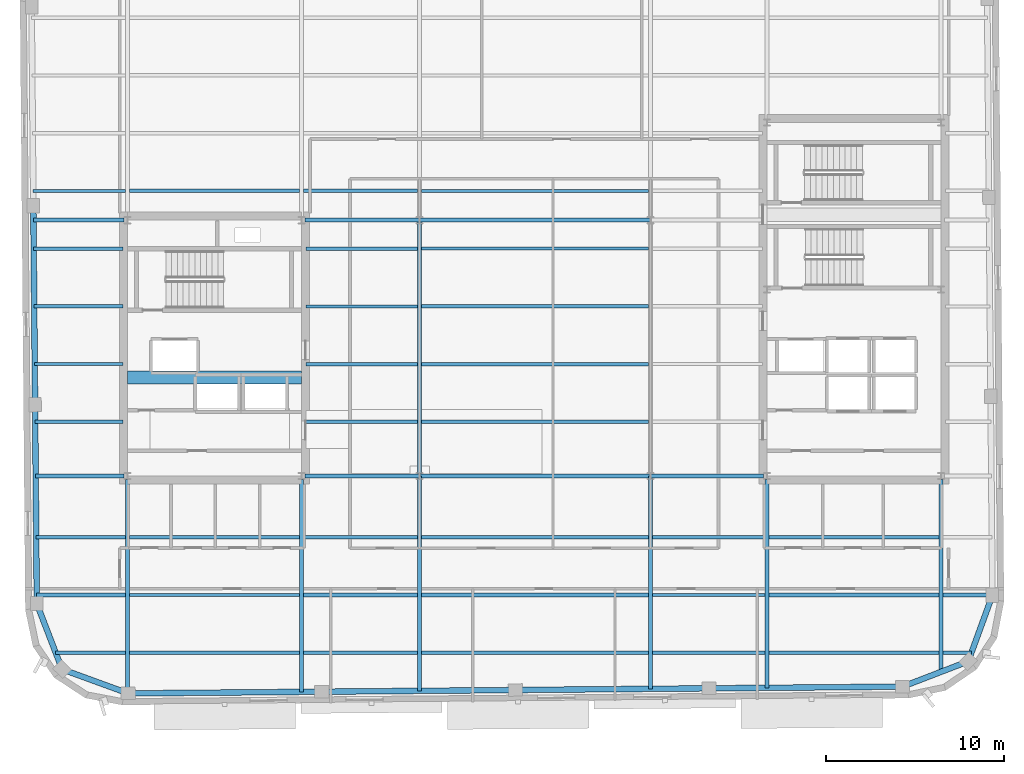
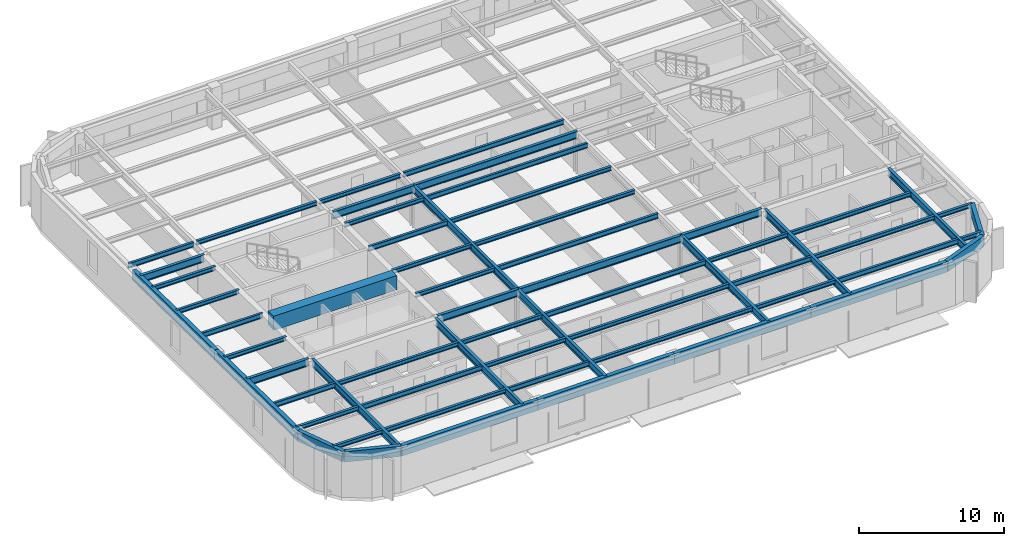
# One storey, part 4 of 15: 61 beams.
"""IFC4 building model written with IfcOpenShell, lengths in metres."""

from ifc_helpers import new_model, si_unit, direction, frame, origin, origin_2d, place, context, subcontext, project, spatial, rectangle, hollow_rectangle, i_section, extrude, material, material_profile, profile_set, type_object, element, save


model = new_model("IFC4")

# Units and contexts
model_context = context("Model", 3, precision=1e-05, world=origin(), true_north=direction((0.0, 1.0)))
body_context = subcontext(model_context, "Body", "Model", "MODEL_VIEW")
ifc_project = project(units=[si_unit("LENGTHUNIT", "METRE"), si_unit("AREAUNIT", "SQUARE_METRE"), si_unit("VOLUMEUNIT", "CUBIC_METRE"), si_unit("PLANEANGLEUNIT", "RADIAN"), si_unit("MASSUNIT", "GRAM", prefix="KILO")], contexts=[model_context])

# Site, building, storey
site_placement = place(None, origin())
site = spatial("IfcSite", under=ifc_project, at=site_placement, CompositionType="ELEMENT")
building_placement = place(site_placement, origin())
building = spatial("IfcBuilding", under=site, at=building_placement, Name="Kolvaren Arena Tower", CompositionType="ELEMENT")
storey_placement = place(building_placement, frame((0.0, 0.0, 293.64990234375)))
storey = spatial("IfcBuildingStorey", under=building, at=storey_placement, Name="L72", CompositionType="ELEMENT", Elevation=293.64990234375)

# Beams
ifc_material_1 = material(Name="Steel CSA G40.21 350W", Category="steel")
ifc_material_profile_1 = material_profile(ifc_material_1, i_section(OverallWidth=0.180908203125, OverallDepth=0.4169921875, WebThickness=0.010986328125, FlangeThickness=0.018310546875, FilletRadius=0.011962890625, at=origin_2d()), Name="W410x85")
ifc_profile_set_1 = profile_set([ifc_material_profile_1], Name="Steel CSA G40.21 350W")
beam_type_1 = type_object("IfcBeamType", Name="BEAM-F3", PredefinedType="BEAM", material=ifc_profile_set_1)
beam_1_placement = place(storey_placement, frame((24.464111328125, 9.5, 3.271484375), z_axis=(1.0, 0.0, 0.0), x_axis=(0.0, 1.0, 0.0)))
element("IfcBeam", 1, at=beam_1_placement, inside=storey, type_object=beam_type_1, Name="Composite Floor Beam (L72)", PredefinedType="BEAM", context=body_context, shape_type="SweptSolid", body=[
    extrude(i_section(OverallWidth=0.180908203125, OverallDepth=0.4169921875, WebThickness=0.010986328125, FlangeThickness=0.018310546875, FilletRadius=0.011962890625, at=origin_2d()), origin(), (0.0, 0.0, 1.0), 6.421875),
])
for number, where, z_axis, x_axis, name in (
    (2, (50.6640625, 9.5, 3.271484375), (1.0, 0.0, 0.0), (0.0, 1.0, 0.0), "Composite Floor Beam (L72)"),
    (3, (14.6640625, 12.75, 3.271484375), (1.0, 0.0, 0.0), (0.0, 1.0, 0.0), "Composite Floor Beam (L72)"),
):
    element("IfcBeam", number, at=place(storey_placement, frame(where, z_axis=z_axis, x_axis=x_axis)), inside=storey, type_object=beam_type_1, Name=name, PredefinedType="BEAM", context=body_context, shape_type="SweptSolid", body=[
        extrude(i_section(OverallWidth=0.180908203125, OverallDepth=0.4169921875, WebThickness=0.010986328125, FlangeThickness=0.018310546875, FilletRadius=0.011962890625, at=origin_2d()), origin(), (0.0, 0.0, 1.0), 9.572021484375),
    ])
beam_2_placement = place(storey_placement, frame((44.114013671875, 12.75, 3.271484375), z_axis=(1.0, 0.0, 0.0), x_axis=(0.0, 1.0, 0.0)))
element("IfcBeam", 4, at=beam_2_placement, inside=storey, type_object=beam_type_1, Name="Composite Floor Beam (L72)", PredefinedType="BEAM", context=body_context, shape_type="SweptSolid", body=[
    extrude(i_section(OverallWidth=0.180908203125, OverallDepth=0.4169921875, WebThickness=0.010986328125, FlangeThickness=0.018310546875, FilletRadius=0.011962890625, at=origin_2d()), origin(), (0.0, 0.0, 1.0), 6.322021484375),
])
beam_3_placement = place(storey_placement, frame((9.4150390625, 16.0, 3.271484375), z_axis=(1.0, 0.0, 0.0), x_axis=(0.0, 1.0, 0.0)))
element("IfcBeam", 5, at=beam_3_placement, inside=storey, type_object=beam_type_1, Name="Composite Floor Beam (L72)", PredefinedType="BEAM", context=body_context, shape_type="SweptSolid", body=[
    extrude(i_section(OverallWidth=0.180908203125, OverallDepth=0.4169921875, WebThickness=0.010986328125, FlangeThickness=0.018310546875, FilletRadius=0.011962890625, at=origin_2d()), origin(), (0.0, 0.0, 1.0), 5.02099609375),
])
for number, where, z_axis, x_axis, name in (
    (6, (31.114013671875, 16.0, 3.271484375), (1.0, 0.0, 0.0), (0.0, 1.0, 0.0), "Composite Floor Beam (L72)"),
    (7, (31.114013671875, 22.5, 3.271484375), (1.0, 0.0, 0.0), (0.0, 1.0, 0.0), "Composite Floor Beam (L72)"),
):
    element("IfcBeam", number, at=place(storey_placement, frame(where, z_axis=z_axis, x_axis=x_axis)), inside=storey, type_object=beam_type_1, Name=name, PredefinedType="BEAM", context=body_context, shape_type="SweptSolid", body=[
        extrude(i_section(OverallWidth=0.180908203125, OverallDepth=0.4169921875, WebThickness=0.010986328125, FlangeThickness=0.018310546875, FilletRadius=0.011962890625, at=origin_2d()), origin(), (0.0, 0.0, 1.0), 12.77197265625),
    ])
beam_4_placement = place(storey_placement, frame((9.330078125, 25.75, 3.271484375), z_axis=(1.0, 0.0, 0.0), x_axis=(0.0, 1.0, 0.0)))
element("IfcBeam", 8, at=beam_4_placement, inside=storey, type_object=beam_type_1, Name="Composite Floor Beam (L72)", PredefinedType="BEAM", context=body_context, shape_type="SweptSolid", body=[
    extrude(i_section(OverallWidth=0.180908203125, OverallDepth=0.4169921875, WebThickness=0.010986328125, FlangeThickness=0.018310546875, FilletRadius=0.011962890625, at=origin_2d()), origin(), (0.0, 0.0, 1.0), 4.974853515625),
])
beam_5_placement = place(storey_placement, frame((24.594970703125, 29.0, 3.271484375), z_axis=(1.0, 0.0, 0.0), x_axis=(0.0, 1.0, 0.0)))
element("IfcBeam", 9, at=beam_5_placement, inside=storey, type_object=beam_type_1, Name="Composite Floor Beam (L72)", PredefinedType="BEAM", context=body_context, shape_type="SweptSolid", body=[
    extrude(i_section(OverallWidth=0.180908203125, OverallDepth=0.4169921875, WebThickness=0.010986328125, FlangeThickness=0.018310546875, FilletRadius=0.011962890625, at=origin_2d()), origin(), (0.0, 0.0, 1.0), 6.291015625),
])
beam_6_placement = place(storey_placement, frame((31.114013671875, 32.25, 3.271484375), z_axis=(1.0, 0.0, 0.0), x_axis=(0.0, 1.0, 0.0)))
element("IfcBeam", 10, at=beam_6_placement, inside=storey, type_object=beam_type_1, Name="Composite Floor Beam (L72)", PredefinedType="BEAM", context=body_context, shape_type="SweptSolid", body=[
    extrude(i_section(OverallWidth=0.180908203125, OverallDepth=0.4169921875, WebThickness=0.010986328125, FlangeThickness=0.018310546875, FilletRadius=0.011962890625, at=origin_2d()), origin(), (0.0, 0.0, 1.0), 12.77197265625),
])
beam_7_placement = place(storey_placement, frame((9.244873046875, 35.5, 3.271484375), z_axis=(1.0, 0.0, 0.0), x_axis=(0.0, 1.0, 0.0)))
element("IfcBeam", 11, at=beam_7_placement, inside=storey, type_object=beam_type_1, Name="Composite Floor Beam (L72)", PredefinedType="BEAM", context=body_context, shape_type="SweptSolid", body=[
    extrude(i_section(OverallWidth=0.180908203125, OverallDepth=0.4169921875, WebThickness=0.010986328125, FlangeThickness=0.018310546875, FilletRadius=0.011962890625, at=origin_2d()), origin(), (0.0, 0.0, 1.0), 5.191162109375),
])
beam_8_placement = place(storey_placement, frame((31.114013671875, 35.5, 3.271484375), z_axis=(1.0, 0.0, 0.0), x_axis=(0.0, 1.0, 0.0)))
element("IfcBeam", 12, at=beam_8_placement, inside=storey, type_object=beam_type_1, Name="Composite Floor Beam (L72)", PredefinedType="BEAM", context=body_context, shape_type="SweptSolid", body=[
    extrude(i_section(OverallWidth=0.180908203125, OverallDepth=0.4169921875, WebThickness=0.010986328125, FlangeThickness=0.018310546875, FilletRadius=0.011962890625, at=origin_2d()), origin(), (0.0, 0.0, 1.0), 12.77197265625),
])
ifc_material_2 = material(Name="Concrete 60 MPa", Category="concrete")
ifc_material_profile_2 = material_profile(ifc_material_2, rectangle(XDim=0.75, YDim=1.199951171875, at=origin_2d()), Name="RC-750x1200")
ifc_profile_set_2 = profile_set([ifc_material_profile_2], Name="Concrete 60 MPa")
beam_type_2 = type_object("IfcBeamType", Name="CB-CORE-2", PredefinedType="BEAM", material=ifc_profile_set_2)
beam_9_placement = place(storey_placement, frame((14.550048828125, 25.0, 3.150146484375), z_axis=(1.0, 0.0, 0.0), x_axis=(0.0, 1.0, 0.0)))
element("IfcBeam", 13, at=beam_9_placement, inside=storey, type_object=beam_type_2, Name="West Core Coupling Beam (L72)", PredefinedType="BEAM", context=body_context, shape_type="SweptSolid", body=[
    extrude(rectangle(XDim=0.75, YDim=1.199951171875, at=origin_2d()), origin(), (0.0, 0.0, 1.0), 9.800048828125),
])
ifc_material_profile_3 = material_profile(ifc_material_1, i_section(OverallWidth=0.22802734375, OverallDepth=0.615966796875, WebThickness=0.013916015625, FlangeThickness=0.02490234375, FilletRadius=0.014892578125, at=origin_2d()), Name="W610x174")
ifc_profile_set_3 = profile_set([ifc_material_profile_3], Name="Steel CSA G40.21 350W")
beam_type_3 = type_object("IfcBeamType", Name="GIRD-T3", PredefinedType="BEAM", material=ifc_profile_set_3)
beam_10_placement = place(storey_placement, frame((9.385009765625, 19.449951171875, 3.172119140625), z_axis=(1.0, 0.0, 0.0), x_axis=(0.0, 1.0, 0.0)))
element("IfcBeam", 14, at=beam_10_placement, inside=storey, type_object=beam_type_3, Name="Primary Floor Girder (L72)", PredefinedType="BEAM", context=body_context, shape_type="SweptSolid", body=[
    extrude(i_section(OverallWidth=0.22802734375, OverallDepth=0.615966796875, WebThickness=0.013916015625, FlangeThickness=0.02490234375, FilletRadius=0.014892578125, at=origin_2d()), origin(), (0.0, 0.0, 1.0), 4.9599609375),
])
beam_11_placement = place(storey_placement, frame((24.554931640625, 19.449951171875, 3.172119140625), z_axis=(1.0, 0.0, 0.0), x_axis=(0.0, 1.0, 0.0)))
element("IfcBeam", 15, at=beam_11_placement, inside=storey, type_object=beam_type_3, Name="Primary Floor Girder (L72)", PredefinedType="BEAM", context=body_context, shape_type="SweptSolid", body=[
    extrude(i_section(OverallWidth=0.22802734375, OverallDepth=0.615966796875, WebThickness=0.013916015625, FlangeThickness=0.02490234375, FilletRadius=0.014892578125, at=origin_2d()), origin(), (0.0, 0.0, 1.0), 6.445068359375),
])
beam_12_placement = place(storey_placement, frame((31.0, 19.449951171875, 3.172119140625), z_axis=(1.0, 0.0, 0.0), x_axis=(0.0, 1.0, 0.0)))
element("IfcBeam", 16, at=beam_12_placement, inside=storey, type_object=beam_type_3, Name="Primary Floor Girder (L72)", PredefinedType="BEAM", context=body_context, shape_type="SweptSolid", body=[
    extrude(i_section(OverallWidth=0.22802734375, OverallDepth=0.615966796875, WebThickness=0.013916015625, FlangeThickness=0.02490234375, FilletRadius=0.014892578125, at=origin_2d()), origin(), (0.0, 0.0, 1.0), 13.0),
])
beam_13_placement = place(storey_placement, frame((44.0, 19.449951171875, 3.172119140625), z_axis=(1.0, 0.0, 0.0), x_axis=(0.0, 1.0, 0.0)))
element("IfcBeam", 17, at=beam_13_placement, inside=storey, type_object=beam_type_3, Name="Primary Floor Girder (L72)", PredefinedType="BEAM", context=body_context, shape_type="SweptSolid", body=[
    extrude(i_section(OverallWidth=0.22802734375, OverallDepth=0.615966796875, WebThickness=0.013916015625, FlangeThickness=0.02490234375, FilletRadius=0.014892578125, at=origin_2d()), origin(), (0.0, 0.0, 1.0), 6.344970703125),
])
beam_14_placement = place(storey_placement, frame((9.25927734375, 33.85009765625, 3.172119140625), z_axis=(1.0, 0.0, 0.0), x_axis=(0.0, 1.0, 0.0)))
element("IfcBeam", 18, at=beam_14_placement, inside=storey, type_object=beam_type_3, Name="Primary Floor Girder (L72)", PredefinedType="BEAM", context=body_context, shape_type="SweptSolid", body=[
    extrude(i_section(OverallWidth=0.22802734375, OverallDepth=0.615966796875, WebThickness=0.013916015625, FlangeThickness=0.02490234375, FilletRadius=0.014892578125, at=origin_2d()), origin(), (0.0, 0.0, 1.0), 5.085693359375),
])
beam_15_placement = place(storey_placement, frame((24.554931640625, 33.85009765625, 3.172119140625), z_axis=(1.0, 0.0, 0.0), x_axis=(0.0, 1.0, 0.0)))
element("IfcBeam", 19, at=beam_15_placement, inside=storey, type_object=beam_type_3, Name="Primary Floor Girder (L72)", PredefinedType="BEAM", context=body_context, shape_type="SweptSolid", body=[
    extrude(i_section(OverallWidth=0.22802734375, OverallDepth=0.615966796875, WebThickness=0.013916015625, FlangeThickness=0.02490234375, FilletRadius=0.014892578125, at=origin_2d()), origin(), (0.0, 0.0, 1.0), 6.445068359375),
])
beam_16_placement = place(storey_placement, frame((31.0, 33.85009765625, 3.172119140625), z_axis=(1.0, 0.0, 0.0), x_axis=(0.0, 1.0, 0.0)))
element("IfcBeam", 20, at=beam_16_placement, inside=storey, type_object=beam_type_3, Name="Primary Floor Girder (L72)", PredefinedType="BEAM", context=body_context, shape_type="SweptSolid", body=[
    extrude(i_section(OverallWidth=0.22802734375, OverallDepth=0.615966796875, WebThickness=0.013916015625, FlangeThickness=0.02490234375, FilletRadius=0.014892578125, at=origin_2d()), origin(), (0.0, 0.0, 1.0), 13.0),
])
beam_17_placement = place(storey_placement, frame((14.550048828125, 7.225830078125, 3.172119140625), z_axis=(0.0, 1.0, 0.0), x_axis=(-1.0, 0.0, 0.0)))
element("IfcBeam", 21, at=beam_17_placement, inside=storey, type_object=beam_type_3, Name="Primary Floor Girder (L72)", PredefinedType="BEAM", context=body_context, shape_type="SweptSolid", body=[
    extrude(i_section(OverallWidth=0.22802734375, OverallDepth=0.615966796875, WebThickness=0.013916015625, FlangeThickness=0.02490234375, FilletRadius=0.014892578125, at=origin_2d()), origin(), (0.0, 0.0, 1.0), 12.019287109375),
])
beam_18_placement = place(storey_placement, frame((24.35009765625, 7.295654296875, 3.172119140625), z_axis=(0.0, 1.0, 0.0), x_axis=(-1.0, 0.0, 0.0)))
element("IfcBeam", 22, at=beam_18_placement, inside=storey, type_object=beam_type_3, Name="Primary Floor Girder (L72)", PredefinedType="BEAM", context=body_context, shape_type="SweptSolid", body=[
    extrude(i_section(OverallWidth=0.22802734375, OverallDepth=0.615966796875, WebThickness=0.013916015625, FlangeThickness=0.02490234375, FilletRadius=0.014892578125, at=origin_2d()), origin(), (0.0, 0.0, 1.0), 11.949462890625),
])
beam_19_placement = place(storey_placement, frame((31.0, 7.353759765625, 3.172119140625), z_axis=(0.0, 1.0, 0.0), x_axis=(-1.0, 0.0, 0.0)))
element("IfcBeam", 23, at=beam_19_placement, inside=storey, type_object=beam_type_3, Name="Primary Floor Girder (L72)", PredefinedType="BEAM", context=body_context, shape_type="SweptSolid", body=[
    extrude(i_section(OverallWidth=0.22802734375, OverallDepth=0.615966796875, WebThickness=0.013916015625, FlangeThickness=0.02490234375, FilletRadius=0.014892578125, at=origin_2d()), origin(), (0.0, 0.0, 1.0), 12.09619140625),
])
beam_20_placement = place(storey_placement, frame((31.0, 19.449951171875, 3.172119140625), z_axis=(0.0, 1.0, 0.0), x_axis=(-1.0, 0.0, 0.0)))
element("IfcBeam", 24, at=beam_20_placement, inside=storey, type_object=beam_type_3, Name="Primary Floor Girder (L72)", PredefinedType="BEAM", context=body_context, shape_type="SweptSolid", body=[
    extrude(i_section(OverallWidth=0.22802734375, OverallDepth=0.615966796875, WebThickness=0.013916015625, FlangeThickness=0.02490234375, FilletRadius=0.014892578125, at=origin_2d()), origin(), (0.0, 0.0, 1.0), 14.400146484375),
])
beam_21_placement = place(storey_placement, frame((44.0, 7.46728515625, 3.172119140625), z_axis=(0.0, 1.0, 0.0), x_axis=(-1.0, 0.0, 0.0)))
element("IfcBeam", 25, at=beam_21_placement, inside=storey, type_object=beam_type_3, Name="Primary Floor Girder (L72)", PredefinedType="BEAM", context=body_context, shape_type="SweptSolid", body=[
    extrude(i_section(OverallWidth=0.22802734375, OverallDepth=0.615966796875, WebThickness=0.013916015625, FlangeThickness=0.02490234375, FilletRadius=0.014892578125, at=origin_2d()), origin(), (0.0, 0.0, 1.0), 11.982666015625),
])
beam_22_placement = place(storey_placement, frame((50.550048828125, 7.5244140625, 3.172119140625), z_axis=(0.0, 1.0, 0.0), x_axis=(-1.0, 0.0, 0.0)))
element("IfcBeam", 26, at=beam_22_placement, inside=storey, type_object=beam_type_3, Name="Primary Floor Girder (L72)", PredefinedType="BEAM", context=body_context, shape_type="SweptSolid", body=[
    extrude(i_section(OverallWidth=0.22802734375, OverallDepth=0.615966796875, WebThickness=0.013916015625, FlangeThickness=0.02490234375, FilletRadius=0.014892578125, at=origin_2d()), origin(), (0.0, 0.0, 1.0), 11.720703125),
])
beam_23_placement = place(storey_placement, frame((60.35009765625, 8.4228515625, 3.172119140625), z_axis=(0.0, 1.0, 0.0), x_axis=(-1.0, 0.0, 0.0)))
element("IfcBeam", 27, at=beam_23_placement, inside=storey, type_object=beam_type_3, Name="Primary Floor Girder (L72)", PredefinedType="BEAM", context=body_context, shape_type="SweptSolid", body=[
    extrude(i_section(OverallWidth=0.22802734375, OverallDepth=0.615966796875, WebThickness=0.013916015625, FlangeThickness=0.02490234375, FilletRadius=0.014892578125, at=origin_2d()), origin(), (0.0, 0.0, 1.0), 10.822265625),
])
ifc_material_profile_4 = material_profile(ifc_material_1, i_section(OverallWidth=0.202880859375, OverallDepth=0.346923828125, WebThickness=0.0078125, FlangeThickness=0.013427734375, FilletRadius=0.010986328125, at=origin_2d()), Name="W360x64")
ifc_profile_set_4 = profile_set([ifc_material_profile_4], Name="Steel CSA G40.21 350W")
beam_type_4 = type_object("IfcBeamType", Name="JOIST-01", PredefinedType="JOIST", material=ifc_profile_set_4)
beam_24_placement = place(storey_placement, frame((10.5126953125, 9.5, 3.306640625), z_axis=(1.0, 0.0, 0.0), x_axis=(0.0, 1.0, 0.0)))
element("IfcBeam", 28, at=beam_24_placement, inside=storey, type_object=beam_type_4, Name="Composite Floor Joist (L72)", PredefinedType="JOIST", context=body_context, shape_type="SweptSolid", body=[
    extrude(i_section(OverallWidth=0.202880859375, OverallDepth=0.346923828125, WebThickness=0.0078125, FlangeThickness=0.013427734375, FilletRadius=0.010986328125, at=origin_2d()), origin(), (0.0, 0.0, 1.0), 3.92333984375),
])
beam_25_placement = place(storey_placement, frame((14.6640625, 9.5, 3.306640625), z_axis=(1.0, 0.0, 0.0), x_axis=(0.0, 1.0, 0.0)))
element("IfcBeam", 29, at=beam_25_placement, inside=storey, type_object=beam_type_4, Name="Composite Floor Joist (L72)", PredefinedType="JOIST", context=body_context, shape_type="SweptSolid", body=[
    extrude(i_section(OverallWidth=0.202880859375, OverallDepth=0.346923828125, WebThickness=0.0078125, FlangeThickness=0.013427734375, FilletRadius=0.010986328125, at=origin_2d()), origin(), (0.0, 0.0, 1.0), 9.572021484375),
])
beam_26_placement = place(storey_placement, frame((31.114013671875, 9.5, 3.306640625), z_axis=(1.0, 0.0, 0.0), x_axis=(0.0, 1.0, 0.0)))
element("IfcBeam", 30, at=beam_26_placement, inside=storey, type_object=beam_type_4, Name="Composite Floor Joist (L72)", PredefinedType="JOIST", context=body_context, shape_type="SweptSolid", body=[
    extrude(i_section(OverallWidth=0.202880859375, OverallDepth=0.346923828125, WebThickness=0.0078125, FlangeThickness=0.013427734375, FilletRadius=0.010986328125, at=origin_2d()), origin(), (0.0, 0.0, 1.0), 12.77197265625),
])
beam_27_placement = place(storey_placement, frame((44.114013671875, 9.5, 3.306640625), z_axis=(1.0, 0.0, 0.0), x_axis=(0.0, 1.0, 0.0)))
element("IfcBeam", 31, at=beam_27_placement, inside=storey, type_object=beam_type_4, Name="Composite Floor Joist (L72)", PredefinedType="JOIST", context=body_context, shape_type="SweptSolid", body=[
    extrude(i_section(OverallWidth=0.202880859375, OverallDepth=0.346923828125, WebThickness=0.0078125, FlangeThickness=0.013427734375, FilletRadius=0.010986328125, at=origin_2d()), origin(), (0.0, 0.0, 1.0), 6.322021484375),
])
beam_28_placement = place(storey_placement, frame((60.464111328125, 9.5, 3.306640625), z_axis=(1.0, 0.0, 0.0), x_axis=(0.0, 1.0, 0.0)))
element("IfcBeam", 32, at=beam_28_placement, inside=storey, type_object=beam_type_4, Name="Composite Floor Joist (L72)", PredefinedType="JOIST", context=body_context, shape_type="SweptSolid", body=[
    extrude(i_section(OverallWidth=0.202880859375, OverallDepth=0.346923828125, WebThickness=0.0078125, FlangeThickness=0.013427734375, FilletRadius=0.010986328125, at=origin_2d()), origin(), (0.0, 0.0, 1.0), 1.60009765625),
])
beam_29_placement = place(storey_placement, frame((9.443359375, 12.75, 3.306640625), z_axis=(1.0, 0.0, 0.0), x_axis=(0.0, 1.0, 0.0)))
element("IfcBeam", 33, at=beam_29_placement, inside=storey, type_object=beam_type_4, Name="Composite Floor Joist (L72)", PredefinedType="JOIST", context=body_context, shape_type="SweptSolid", body=[
    extrude(i_section(OverallWidth=0.202880859375, OverallDepth=0.346923828125, WebThickness=0.0078125, FlangeThickness=0.013427734375, FilletRadius=0.010986328125, at=origin_2d()), origin(), (0.0, 0.0, 1.0), 4.99267578125),
])
beam_30_placement = place(storey_placement, frame((24.464111328125, 12.75, 3.306640625), z_axis=(1.0, 0.0, 0.0), x_axis=(0.0, 1.0, 0.0)))
element("IfcBeam", 34, at=beam_30_placement, inside=storey, type_object=beam_type_4, Name="Composite Floor Joist (L72)", PredefinedType="JOIST", context=body_context, shape_type="SweptSolid", body=[
    extrude(i_section(OverallWidth=0.202880859375, OverallDepth=0.346923828125, WebThickness=0.0078125, FlangeThickness=0.013427734375, FilletRadius=0.010986328125, at=origin_2d()), origin(), (0.0, 0.0, 1.0), 6.421875),
])
beam_31_placement = place(storey_placement, frame((31.114013671875, 12.75, 3.306640625), z_axis=(1.0, 0.0, 0.0), x_axis=(0.0, 1.0, 0.0)))
element("IfcBeam", 35, at=beam_31_placement, inside=storey, type_object=beam_type_4, Name="Composite Floor Joist (L72)", PredefinedType="JOIST", context=body_context, shape_type="SweptSolid", body=[
    extrude(i_section(OverallWidth=0.202880859375, OverallDepth=0.346923828125, WebThickness=0.0078125, FlangeThickness=0.013427734375, FilletRadius=0.010986328125, at=origin_2d()), origin(), (0.0, 0.0, 1.0), 12.77197265625),
])
beam_32_placement = place(storey_placement, frame((50.6640625, 12.75, 3.306640625), z_axis=(1.0, 0.0, 0.0), x_axis=(0.0, 1.0, 0.0)))
element("IfcBeam", 36, at=beam_32_placement, inside=storey, type_object=beam_type_4, Name="Composite Floor Joist (L72)", PredefinedType="JOIST", context=body_context, shape_type="SweptSolid", body=[
    extrude(i_section(OverallWidth=0.202880859375, OverallDepth=0.346923828125, WebThickness=0.0078125, FlangeThickness=0.013427734375, FilletRadius=0.010986328125, at=origin_2d()), origin(), (0.0, 0.0, 1.0), 9.572021484375),
])
beam_33_placement = place(storey_placement, frame((60.464111328125, 12.75, 3.306640625), z_axis=(1.0, 0.0, 0.0), x_axis=(0.0, 1.0, 0.0)))
element("IfcBeam", 37, at=beam_33_placement, inside=storey, type_object=beam_type_4, Name="Composite Floor Joist (L72)", PredefinedType="JOIST", context=body_context, shape_type="SweptSolid", body=[
    extrude(i_section(OverallWidth=0.202880859375, OverallDepth=0.346923828125, WebThickness=0.0078125, FlangeThickness=0.013427734375, FilletRadius=0.010986328125, at=origin_2d()), origin(), (0.0, 0.0, 1.0), 2.781494140625),
])
beam_34_placement = place(storey_placement, frame((14.6640625, 16.0, 3.306640625), z_axis=(1.0, 0.0, 0.0), x_axis=(0.0, 1.0, 0.0)))
element("IfcBeam", 38, at=beam_34_placement, inside=storey, type_object=beam_type_4, Name="Composite Floor Joist (L72)", PredefinedType="JOIST", context=body_context, shape_type="SweptSolid", body=[
    extrude(i_section(OverallWidth=0.202880859375, OverallDepth=0.346923828125, WebThickness=0.0078125, FlangeThickness=0.013427734375, FilletRadius=0.010986328125, at=origin_2d()), origin(), (0.0, 0.0, 1.0), 9.572021484375),
])
beam_35_placement = place(storey_placement, frame((24.464111328125, 16.0, 3.306640625), z_axis=(1.0, 0.0, 0.0), x_axis=(0.0, 1.0, 0.0)))
element("IfcBeam", 39, at=beam_35_placement, inside=storey, type_object=beam_type_4, Name="Composite Floor Joist (L72)", PredefinedType="JOIST", context=body_context, shape_type="SweptSolid", body=[
    extrude(i_section(OverallWidth=0.202880859375, OverallDepth=0.346923828125, WebThickness=0.0078125, FlangeThickness=0.013427734375, FilletRadius=0.010986328125, at=origin_2d()), origin(), (0.0, 0.0, 1.0), 6.421875),
])
beam_36_placement = place(storey_placement, frame((44.114013671875, 16.0, 3.306640625), z_axis=(1.0, 0.0, 0.0), x_axis=(0.0, 1.0, 0.0)))
element("IfcBeam", 40, at=beam_36_placement, inside=storey, type_object=beam_type_4, Name="Composite Floor Joist (L72)", PredefinedType="JOIST", context=body_context, shape_type="SweptSolid", body=[
    extrude(i_section(OverallWidth=0.202880859375, OverallDepth=0.346923828125, WebThickness=0.0078125, FlangeThickness=0.013427734375, FilletRadius=0.010986328125, at=origin_2d()), origin(), (0.0, 0.0, 1.0), 6.322021484375),
])
beam_37_placement = place(storey_placement, frame((50.6640625, 16.0, 3.306640625), z_axis=(1.0, 0.0, 0.0), x_axis=(0.0, 1.0, 0.0)))
element("IfcBeam", 41, at=beam_37_placement, inside=storey, type_object=beam_type_4, Name="Composite Floor Joist (L72)", PredefinedType="JOIST", context=body_context, shape_type="SweptSolid", body=[
    extrude(i_section(OverallWidth=0.202880859375, OverallDepth=0.346923828125, WebThickness=0.0078125, FlangeThickness=0.013427734375, FilletRadius=0.010986328125, at=origin_2d()), origin(), (0.0, 0.0, 1.0), 9.572021484375),
])
beam_38_placement = place(storey_placement, frame((9.3583984375, 22.5, 3.306640625), z_axis=(1.0, 0.0, 0.0), x_axis=(0.0, 1.0, 0.0)))
element("IfcBeam", 42, at=beam_38_placement, inside=storey, type_object=beam_type_4, Name="Composite Floor Joist (L72)", PredefinedType="JOIST", context=body_context, shape_type="SweptSolid", body=[
    extrude(i_section(OverallWidth=0.202880859375, OverallDepth=0.346923828125, WebThickness=0.0078125, FlangeThickness=0.013427734375, FilletRadius=0.010986328125, at=origin_2d()), origin(), (0.0, 0.0, 1.0), 4.946533203125),
])
for number, where, z_axis, x_axis, name in (
    (43, (24.594970703125, 22.5, 3.306640625), (1.0, 0.0, 0.0), (0.0, 1.0, 0.0), "Composite Floor Joist (L72)"),
    (44, (24.594970703125, 25.75, 3.306640625), (1.0, 0.0, 0.0), (0.0, 1.0, 0.0), "Composite Floor Joist (L72)"),
):
    element("IfcBeam", number, at=place(storey_placement, frame(where, z_axis=z_axis, x_axis=x_axis)), inside=storey, type_object=beam_type_4, Name=name, PredefinedType="JOIST", context=body_context, shape_type="SweptSolid", body=[
        extrude(i_section(OverallWidth=0.202880859375, OverallDepth=0.346923828125, WebThickness=0.0078125, FlangeThickness=0.013427734375, FilletRadius=0.010986328125, at=origin_2d()), origin(), (0.0, 0.0, 1.0), 6.291015625),
    ])
beam_39_placement = place(storey_placement, frame((31.114013671875, 25.75, 3.306640625), z_axis=(1.0, 0.0, 0.0), x_axis=(0.0, 1.0, 0.0)))
element("IfcBeam", 45, at=beam_39_placement, inside=storey, type_object=beam_type_4, Name="Composite Floor Joist (L72)", PredefinedType="JOIST", context=body_context, shape_type="SweptSolid", body=[
    extrude(i_section(OverallWidth=0.202880859375, OverallDepth=0.346923828125, WebThickness=0.0078125, FlangeThickness=0.013427734375, FilletRadius=0.010986328125, at=origin_2d()), origin(), (0.0, 0.0, 1.0), 12.77197265625),
])
beam_40_placement = place(storey_placement, frame((9.301513671875, 29.0, 3.306640625), z_axis=(1.0, 0.0, 0.0), x_axis=(0.0, 1.0, 0.0)))
element("IfcBeam", 46, at=beam_40_placement, inside=storey, type_object=beam_type_4, Name="Composite Floor Joist (L72)", PredefinedType="JOIST", context=body_context, shape_type="SweptSolid", body=[
    extrude(i_section(OverallWidth=0.202880859375, OverallDepth=0.346923828125, WebThickness=0.0078125, FlangeThickness=0.013427734375, FilletRadius=0.010986328125, at=origin_2d()), origin(), (0.0, 0.0, 1.0), 5.00341796875),
])
beam_41_placement = place(storey_placement, frame((31.114013671875, 29.0, 3.306640625), z_axis=(1.0, 0.0, 0.0), x_axis=(0.0, 1.0, 0.0)))
element("IfcBeam", 47, at=beam_41_placement, inside=storey, type_object=beam_type_4, Name="Composite Floor Joist (L72)", PredefinedType="JOIST", context=body_context, shape_type="SweptSolid", body=[
    extrude(i_section(OverallWidth=0.202880859375, OverallDepth=0.346923828125, WebThickness=0.0078125, FlangeThickness=0.013427734375, FilletRadius=0.010986328125, at=origin_2d()), origin(), (0.0, 0.0, 1.0), 12.77197265625),
])
beam_42_placement = place(storey_placement, frame((9.273193359375, 32.25, 3.306640625), z_axis=(1.0, 0.0, 0.0), x_axis=(0.0, 1.0, 0.0)))
element("IfcBeam", 48, at=beam_42_placement, inside=storey, type_object=beam_type_4, Name="Composite Floor Joist (L72)", PredefinedType="JOIST", context=body_context, shape_type="SweptSolid", body=[
    extrude(i_section(OverallWidth=0.202880859375, OverallDepth=0.346923828125, WebThickness=0.0078125, FlangeThickness=0.013427734375, FilletRadius=0.010986328125, at=origin_2d()), origin(), (0.0, 0.0, 1.0), 5.03173828125),
])
beam_43_placement = place(storey_placement, frame((24.594970703125, 32.25, 3.306640625), z_axis=(1.0, 0.0, 0.0), x_axis=(0.0, 1.0, 0.0)))
element("IfcBeam", 49, at=beam_43_placement, inside=storey, type_object=beam_type_4, Name="Composite Floor Joist (L72)", PredefinedType="JOIST", context=body_context, shape_type="SweptSolid", body=[
    extrude(i_section(OverallWidth=0.202880859375, OverallDepth=0.346923828125, WebThickness=0.0078125, FlangeThickness=0.013427734375, FilletRadius=0.010986328125, at=origin_2d()), origin(), (0.0, 0.0, 1.0), 6.291015625),
])
beam_44_placement = place(storey_placement, frame((14.6640625, 35.5, 3.306640625), z_axis=(1.0, 0.0, 0.0), x_axis=(0.0, 1.0, 0.0)))
element("IfcBeam", 50, at=beam_44_placement, inside=storey, type_object=beam_type_4, Name="Composite Floor Joist (L72)", PredefinedType="JOIST", context=body_context, shape_type="SweptSolid", body=[
    extrude(i_section(OverallWidth=0.202880859375, OverallDepth=0.346923828125, WebThickness=0.0078125, FlangeThickness=0.013427734375, FilletRadius=0.010986328125, at=origin_2d()), origin(), (0.0, 0.0, 1.0), 9.572021484375),
])
beam_45_placement = place(storey_placement, frame((24.464111328125, 35.5, 3.306640625), z_axis=(1.0, 0.0, 0.0), x_axis=(0.0, 1.0, 0.0)))
element("IfcBeam", 51, at=beam_45_placement, inside=storey, type_object=beam_type_4, Name="Composite Floor Joist (L72)", PredefinedType="JOIST", context=body_context, shape_type="SweptSolid", body=[
    extrude(i_section(OverallWidth=0.202880859375, OverallDepth=0.346923828125, WebThickness=0.0078125, FlangeThickness=0.013427734375, FilletRadius=0.010986328125, at=origin_2d()), origin(), (0.0, 0.0, 1.0), 6.421875),
])
ifc_material_3 = material(Name="Steel CSA G40.21 350WT", Category="steel")
ifc_material_profile_5 = material_profile(ifc_material_3, hollow_rectangle(XDim=0.320068359375, YDim=0.860107421875, WallThickness=0.01806640625, at=origin_2d()), Name="HSS 860x320x18")
ifc_profile_set_5 = profile_set([ifc_material_profile_5], Name="Steel CSA G40.21 350WT")
beam_type_5 = type_object("IfcBeamType", Name="SPAND-02", PredefinedType="SPANDREL", material=ifc_profile_set_5)
for number, where, z_axis, x_axis, name in (
    (52, (14.591796875, 7.210693359375, 3.050048828125), (0.999962042393, 0.008712851036, 0.0), (-0.008712851036, 0.999962042393, 0.0), "Perimeter Spandrel Beam (L72)"),
    (53, (25.491455078125, 7.3056640625, 3.050048828125), (0.999961846999, 0.008735247404, 0.0), (-0.008735247404, 0.999961846999, 0.0), "Perimeter Spandrel Beam (L72)"),
    (54, (36.39111328125, 7.40087890625, 3.050048828125), (0.999961846999, 0.008735247404, 0.0), (-0.008735247404, 0.999961846999, 0.0), "Perimeter Spandrel Beam (L72)"),
):
    element("IfcBeam", number, at=place(storey_placement, frame(where, z_axis=z_axis, x_axis=x_axis)), inside=storey, type_object=beam_type_5, Name=name, PredefinedType="SPANDREL", context=body_context, shape_type="SweptSolid", body=[
        extrude(hollow_rectangle(XDim=0.320068359375, YDim=0.860107421875, WallThickness=0.01806640625, at=origin_2d()), origin(), (0.0, 0.0, 1.0), 10.900146484375),
    ])
beam_46_placement = place(storey_placement, frame((47.290771484375, 7.49609375, 3.050048828125), z_axis=(0.999962040693, 0.008713046184, 0.0), x_axis=(-0.008713046184, 0.999962040693, 0.0)))
element("IfcBeam", 55, at=beam_46_placement, inside=storey, type_object=beam_type_5, Name="Perimeter Spandrel Beam (L72)", PredefinedType="SPANDREL", context=body_context, shape_type="SweptSolid", body=[
    extrude(hollow_rectangle(XDim=0.320068359375, YDim=0.860107421875, WallThickness=0.01806640625, at=origin_2d()), origin(), (0.0, 0.0, 1.0), 10.89990234375),
])
for number, where, z_axis, x_axis, name in (
    (56, (58.190185546875, 7.591064453125, 3.050048828125), (0.933189846698, 0.359383792094, 0.0), (-0.359383792094, 0.933189846698, 0.0), "Perimeter Spandrel Beam (L72)"),
    (57, (61.88671875, 9.0146484375, 3.050048828125), (0.343059102458, 0.939313819882, 0.0), (-0.939313819882, 0.343059102458, 0.0), "Perimeter Spandrel Beam (L72)"),
):
    element("IfcBeam", number, at=place(storey_placement, frame(where, z_axis=z_axis, x_axis=x_axis)), inside=storey, type_object=beam_type_5, Name=name, PredefinedType="SPANDREL", context=body_context, shape_type="SweptSolid", body=[
        extrude(hollow_rectangle(XDim=0.320068359375, YDim=0.860107421875, WallThickness=0.01806640625, at=origin_2d()), origin(), (0.0, 0.0, 1.0), 3.961181640625),
    ])
beam_47_placement = place(storey_placement, frame((9.252197265625, 34.6650390625, 3.050048828125), z_axis=(0.008719394723, -0.999961985355, 0.0), x_axis=(0.999961985355, 0.008719394723, 0.0)))
element("IfcBeam", 58, at=beam_47_placement, inside=storey, type_object=beam_type_5, Name="Perimeter Spandrel Beam (L72)", PredefinedType="SPANDREL", context=body_context, shape_type="SweptSolid", body=[
    extrude(hollow_rectangle(XDim=0.320068359375, YDim=0.860107421875, WallThickness=0.01806640625, at=origin_2d()), origin(), (0.0, 0.0, 1.0), 11.199951171875),
])
beam_48_placement = place(storey_placement, frame((9.349853515625, 23.465576171875, 3.050048828125), z_axis=(0.008719204665, -0.999961987013, 0.0), x_axis=(0.999961987013, 0.008719204665, 0.0)))
element("IfcBeam", 59, at=beam_48_placement, inside=storey, type_object=beam_type_5, Name="Perimeter Spandrel Beam (L72)", PredefinedType="SPANDREL", context=body_context, shape_type="SweptSolid", body=[
    extrude(hollow_rectangle(XDim=0.320068359375, YDim=0.860107421875, WallThickness=0.01806640625, at=origin_2d()), origin(), (0.0, 0.0, 1.0), 11.2001953125),
])
beam_49_placement = place(storey_placement, frame((9.447509765625, 12.265869140625, 3.050048828125), z_axis=(0.359383792094, -0.933189846698, 0.0), x_axis=(0.933189846698, 0.359383792094, 0.0)))
element("IfcBeam", 60, at=beam_49_placement, inside=storey, type_object=beam_type_5, Name="Perimeter Spandrel Beam (L72)", PredefinedType="SPANDREL", context=body_context, shape_type="SweptSolid", body=[
    extrude(hollow_rectangle(XDim=0.320068359375, YDim=0.860107421875, WallThickness=0.01806640625, at=origin_2d()), origin(), (0.0, 0.0, 1.0), 3.961181640625),
])
beam_50_placement = place(storey_placement, frame((10.87109375, 8.5693359375, 3.050048828125), z_axis=(0.939333679924, -0.343004719736, 0.0), x_axis=(0.343004719736, 0.939333679924, 0.0)))
element("IfcBeam", 61, at=beam_50_placement, inside=storey, type_object=beam_type_5, Name="Perimeter Spandrel Beam (L72)", PredefinedType="SPANDREL", context=body_context, shape_type="SweptSolid", body=[
    extrude(hollow_rectangle(XDim=0.320068359375, YDim=0.860107421875, WallThickness=0.01806640625, at=origin_2d()), origin(), (0.0, 0.0, 1.0), 3.9609375),
])

save(model, "model.ifc")
